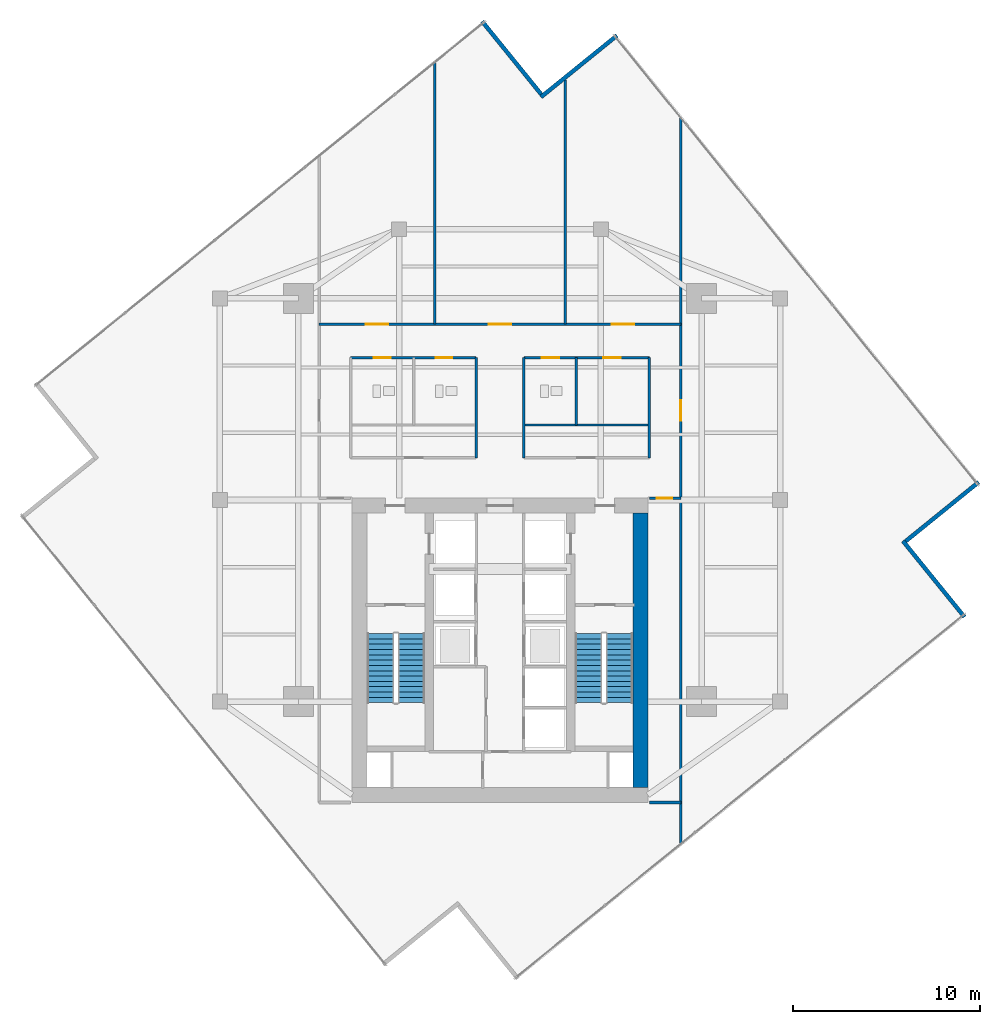
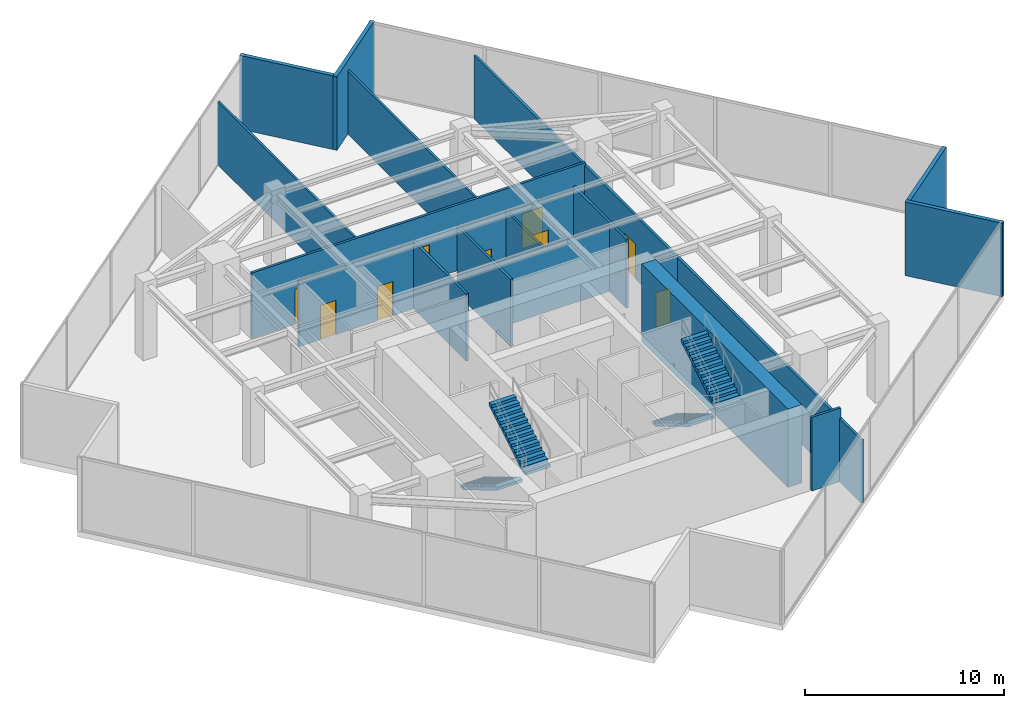
# One storey, part 19 of 22: 18 walls, 9 doors, 4 stair flights, 9 openings, 2 elements without a shape of their own.
"""IFC4 building model written with IfcOpenShell, lengths in metres."""

from ifc_helpers import new_model, si_unit, direction, frame, frame_2d, origin, place, context, subcontext, project, spatial, polyline, rectangle, outline, extrude, material, layer, layer_set, type_object, element, fill, aggregate, save


model = new_model("IFC4")

# Units and contexts
model_context = context("Model", 3, precision=1e-05, world=origin(), true_north=direction((0.0, 1.0)))
body_context = subcontext(model_context, "Body", "Model", "MODEL_VIEW")
ifc_project = project(units=[si_unit("LENGTHUNIT", "METRE"), si_unit("AREAUNIT", "SQUARE_METRE"), si_unit("VOLUMEUNIT", "CUBIC_METRE"), si_unit("PLANEANGLEUNIT", "RADIAN"), si_unit("MASSUNIT", "GRAM", prefix="KILO")], contexts=[model_context])

# Site, building, storey
site_placement = place(None, origin())
site = spatial("IfcSite", under=ifc_project, at=site_placement, CompositionType="ELEMENT")
building_placement = place(site_placement, origin())
building = spatial("IfcBuilding", under=site, at=building_placement, Name="Krantzveldt Concourse Tower", CompositionType="ELEMENT")
storey_placement = place(building_placement, frame((0.0, 0.0, 262.60009765625)))
storey = spatial("IfcBuildingStorey", under=building, at=storey_placement, Name="L64", CompositionType="ELEMENT", Elevation=262.60009765625)

# Walls
ifc_material_1 = material(Name="Anodised aluminium 6063-T6", Category="aluminium")
ifc_layer_1 = layer(ifc_material_1, 0.219970703125, Name="Anodised aluminium 6063-T6", Category="aluminium")
ifc_layer_set_1 = layer_set([ifc_layer_1], Name="Anodised aluminium 6063-T6 (WL-EXT-NOTCH220)")
wall_type_1 = type_object("IfcWallType", Name="WL-EXT-NOTCH220", PredefinedType="ELEMENTEDWALL", material=ifc_layer_set_1)
wall_1_placement = place(storey_placement, frame((38.205810546875, 48.430908203125, 0.0), z_axis=(0.0, 0.0, 1.0), x_axis=(-0.629311429887, 0.777153217978, 0.0)))
element("IfcWall", 1, at=wall_1_placement, inside=storey, type_object=wall_type_1, Name="EW-L64-NCH00", PredefinedType="ELEMENTEDWALL", context=body_context, shape_type="SweptSolid", body=[
    extrude(rectangle(XDim=5.025146484375, YDim=0.219970703125, at=frame_2d((2.5126953125, 0.0))), origin(), (0.0, 0.0, 1.0), 4.52001953125),
])
wall_2_placement = place(storey_placement, frame((60.877197265625, 20.434326171875, 0.0), z_axis=(0.0, 0.0, 1.0), x_axis=(-0.629344166981, 0.777126707485, 0.0)))
element("IfcWall", 2, at=wall_2_placement, inside=storey, type_object=wall_type_1, Name="EW-L64-NCH08", PredefinedType="ELEMENTEDWALL", context=body_context, shape_type="SweptSolid", body=[
    extrude(rectangle(XDim=5.2451171875, YDim=0.219970703125, at=frame_2d((2.62255859375, 0.0))), origin(), (0.0, 0.0, 1.0), 4.52001953125),
])
wall_3_placement = place(storey_placement, frame((57.73095703125, 24.494140625, 0.0), z_axis=(0.0, 0.0, 1.0), x_axis=(0.777153217978, 0.629311429887, 0.0)))
element("IfcWall", 3, at=wall_3_placement, inside=storey, type_object=wall_type_1, Name="EW-L64-NCH09", PredefinedType="ELEMENTEDWALL", context=body_context, shape_type="SweptSolid", body=[
    extrude(rectangle(XDim=5.025146484375, YDim=0.219970703125, at=frame_2d((2.5126953125, 0.0))), origin(), (0.0, 0.0, 1.0), 4.52001953125),
])
wall_4_placement = place(storey_placement, frame((42.265625, 51.5771484375, 0.0), z_axis=(0.0, 0.0, 1.0), x_axis=(-0.777149472214, -0.629316055602, 0.0)))
element("IfcWall", 4, at=wall_4_placement, inside=storey, type_object=wall_type_1, Name="EW-L64-NCH11", PredefinedType="ELEMENTEDWALL", context=body_context, shape_type="SweptSolid", body=[
    extrude(rectangle(XDim=5.2451171875, YDim=0.219970703125, at=frame_2d((2.62255859375, 0.0))), origin(), (0.0, 0.0, 1.0), 4.52001953125),
])
ifc_material_2 = material(Name="Fire-rated gypsum plasterboard on steel stud", Category="steel")
ifc_layer_2 = layer(ifc_material_2, 0.1201171875, Name="Fire-rated gypsum plasterboard on steel stud", Category="steel")
ifc_layer_set_2 = layer_set([ifc_layer_2], Name="Fire-rated gypsum plasterboard on steel stud (WL-PART-120)")
wall_type_2 = type_object("IfcWallType", Name="WL-PART-120", PredefinedType="PARTITIONING", material=ifc_layer_set_2)
wall_5_placement = place(storey_placement, frame((37.280029296875, 30.719970703125, 0.0), z_axis=(0.0, 0.0, 1.0), x_axis=(1.0, 0.0, 0.0)))
element("IfcWall", 5, at=wall_5_placement, inside=storey, type_object=wall_type_2, Name="WP-L64-SMR", PredefinedType="PARTITIONING", context=body_context, shape_type="SweptSolid", body=[
    extrude(rectangle(XDim=6.719970703125, YDim=0.1201171875, at=frame_2d((3.35986328125, 0.0))), origin(), (0.0, 0.0, 1.0), 4.02978515625),
])
wall_6_placement = place(storey_placement, frame((40.080078125, 30.719970703125, 0.0), z_axis=(0.0, 0.0, 1.0), x_axis=(0.0, 1.0, 0.0)))
element("IfcWall", 6, at=wall_6_placement, inside=storey, type_object=wall_type_2, Name="WP-L64-SD2", PredefinedType="PARTITIONING", context=body_context, shape_type="SweptSolid", body=[
    extrude(rectangle(XDim=3.60009765625, YDim=0.1201171875, at=frame_2d((1.800048828125, 0.0))), origin(), (0.0, 0.0, 1.0), 4.119873046875),
])
wall_7_placement = place(storey_placement, frame((32.5, 36.1201171875, 0.0), z_axis=(0.0, 0.0, 1.0), x_axis=(0.0, 1.0, 0.0)))
element("IfcWall", 7, at=wall_7_placement, inside=storey, type_object=wall_type_2, Name="WP-L64-ND1", PredefinedType="PARTITIONING", context=body_context, shape_type="SweptSolid", body=[
    extrude(rectangle(XDim=14.00830078125, YDim=0.1201171875, at=frame_2d((7.004150390625, 0.0))), origin(), (0.0, 0.0, 1.0), 3.8798828125),
])
wall_8_placement = place(storey_placement, frame((39.5, 36.1201171875, 0.0), z_axis=(0.0, 0.0, 1.0), x_axis=(0.0, 1.0, 0.0)))
element("IfcWall", 8, at=wall_8_placement, inside=storey, type_object=wall_type_2, Name="WP-L64-ND2", PredefinedType="PARTITIONING", context=body_context, shape_type="SweptSolid", body=[
    extrude(rectangle(XDim=13.0693359375, YDim=0.1201171875, at=frame_2d((6.53466796875, 0.0))), origin(), (0.0, 0.0, 1.0), 3.8798828125),
])
ifc_layer_3 = layer(ifc_material_2, 0.139892578125, Name="Fire-rated gypsum plasterboard on steel stud", Category="steel")
ifc_layer_set_3 = layer_set([ifc_layer_3], Name="Fire-rated gypsum plasterboard on steel stud (WL-PART-140)")
wall_type_3 = type_object("IfcWallType", Name="WL-PART-140", PredefinedType="PARTITIONING", material=ifc_layer_set_3)
for number, where, z_axis, x_axis, name in (
    (9, (34.719970703125, 28.9599609375, 0.0), (0.0, 0.0, 1.0), (0.0, 1.0, 0.0), "WP-L64-SNL"),
    (10, (37.280029296875, 28.9599609375, 0.0), (0.0, 0.0, 1.0), (0.0, 1.0, 0.0), "WP-L64-SNR"),
):
    element("IfcWall", number, at=place(storey_placement, frame(where, z_axis=z_axis, x_axis=x_axis)), inside=storey, type_object=wall_type_3, Name=name, PredefinedType="PARTITIONING", context=body_context, shape_type="SweptSolid", body=[
        extrude(rectangle(XDim=5.360107421875, YDim=0.139892578125, at=frame_2d((2.68017578125, 0.0))), origin(), (0.0, 0.0, 1.0), 4.119873046875),
    ])

# Wall, openings, doors
wall_9_placement = place(storey_placement, frame((28.0, 34.320068359375, 0.0), z_axis=(0.0, 0.0, 1.0), x_axis=(1.0, 0.0, 0.0)))
wall_9 = element("IfcWall", 11, at=wall_9_placement, inside=storey, type_object=wall_type_3, Name="WP-L64-SNTL", PredefinedType="PARTITIONING", context=body_context, shape_type="SweptSolid", body=[
    extrude(rectangle(XDim=6.719970703125, YDim=0.139892578125, at=frame_2d((3.35986328125, 0.0))), origin(), (0.0, 0.0, 1.0), 4.02978515625),
])
opening_1_placement = place(wall_9_placement, frame((1.25, 0.0, 0.0)))
opening_1 = element("IfcOpeningElement", 12, at=opening_1_placement, cuts=wall_9, Name="Opening D-IN090", PredefinedType="OPENING", context=body_context, shape_type="SweptSolid", body=[
    extrude(rectangle(XDim=0.89990234375, YDim=2.10009765625, at=frame_2d((0.449951171875, 1.050048828125))), frame((0.0, 0.080078125, 0.0), z_axis=(0.0, -1.0, 0.0), x_axis=(1.0, 0.0, 0.0)), (0.0, 0.0, 1.0), 0.159912109375),
])
opening_2_placement = place(wall_9_placement, frame((4.550048828125, 0.0, 0.0)))
opening_2 = element("IfcOpeningElement", 13, at=opening_2_placement, cuts=wall_9, Name="Opening D-IN090", PredefinedType="OPENING", context=body_context, shape_type="SweptSolid", body=[
    extrude(rectangle(XDim=0.89990234375, YDim=2.10009765625, at=frame_2d((0.449951171875, 1.050048828125))), frame((0.0, 0.080078125, 0.0), z_axis=(0.0, -1.0, 0.0), x_axis=(1.0, 0.0, 0.0)), (0.0, 0.0, 1.0), 0.159912109375),
])
ifc_material_3 = material(Name="Hardwood timber", Category="wood")
door_type_1 = type_object("IfcDoorType", Name="DR-INT-900", OperationType="SINGLE_SWING_LEFT", PredefinedType="DOOR", material=ifc_material_3)
door_1_placement = place(opening_1_placement, origin())
door_1 = element("IfcDoor", 14, at=door_1_placement, inside=storey, type_object=door_type_1, Name="DR-L64-WCM", OperationType="SINGLE_SWING_LEFT", OverallHeight=2.10009765625, OverallWidth=0.89990234375, PredefinedType="DOOR", context=body_context, shape_type="SweptSolid", body=[
    extrude(rectangle(XDim=0.89990234375, YDim=2.10009765625, at=frame_2d((0.449951171875, 1.050048828125))), frame((0.0, 0.02490234375, 0.0), z_axis=(0.0, -1.0, 0.0), x_axis=(1.0, 0.0, 0.0)), (0.0, 0.0, 1.0), 0.050048828125),
])
fill(opening_1, door_1)
door_2_placement = place(opening_2_placement, origin())
door_2 = element("IfcDoor", 15, at=door_2_placement, inside=storey, type_object=door_type_1, Name="DR-L64-WCF", OperationType="SINGLE_SWING_RIGHT", OverallHeight=2.10009765625, OverallWidth=0.89990234375, PredefinedType="DOOR", context=body_context, shape_type="SweptSolid", body=[
    extrude(rectangle(XDim=0.89990234375, YDim=2.10009765625, at=frame_2d((0.449951171875, 1.050048828125))), frame((0.0, 0.02490234375, 0.0), z_axis=(0.0, -1.0, 0.0), x_axis=(1.0, 0.0, 0.0)), (0.0, 0.0, 1.0), 0.050048828125),
])
fill(opening_2, door_2)

wall_10_placement = place(storey_placement, frame((37.280029296875, 34.320068359375, 0.0), z_axis=(0.0, 0.0, 1.0), x_axis=(1.0, 0.0, 0.0)))
wall_10 = element("IfcWall", 16, at=wall_10_placement, inside=storey, type_object=wall_type_3, Name="WP-L64-SNTR", PredefinedType="PARTITIONING", context=body_context, shape_type="SweptSolid", body=[
    extrude(rectangle(XDim=6.719970703125, YDim=0.139892578125, at=frame_2d((3.35986328125, 0.0))), origin(), (0.0, 0.0, 1.0), 4.02978515625),
])
opening_3_placement = place(wall_10_placement, frame((0.945068359375, 0.0, 0.0)))
opening_3 = element("IfcOpeningElement", 17, at=opening_3_placement, cuts=wall_10, Name="Opening D-IN095", PredefinedType="OPENING", context=body_context, shape_type="SweptSolid", body=[
    extrude(rectangle(XDim=0.949951171875, YDim=2.10009765625, at=frame_2d((0.47509765625, 1.050048828125))), frame((0.0, 0.080078125, 0.0), z_axis=(0.0, -1.0, 0.0), x_axis=(1.0, 0.0, 0.0)), (0.0, 0.0, 1.0), 0.159912109375),
])
opening_4_placement = place(wall_10_placement, frame((4.2451171875, 0.0, 0.0)))
opening_4 = element("IfcOpeningElement", 18, at=opening_4_placement, cuts=wall_10, Name="Opening D-IN095", PredefinedType="OPENING", context=body_context, shape_type="SweptSolid", body=[
    extrude(rectangle(XDim=0.949951171875, YDim=2.10009765625, at=frame_2d((0.47509765625, 1.050048828125))), frame((0.0, 0.080078125, 0.0), z_axis=(0.0, -1.0, 0.0), x_axis=(1.0, 0.0, 0.0)), (0.0, 0.0, 1.0), 0.159912109375),
])
door_type_2 = type_object("IfcDoorType", Name="DR-INT-950", OperationType="SINGLE_SWING_LEFT", PredefinedType="DOOR", material=ifc_material_3)
door_3_placement = place(opening_3_placement, origin())
door_3 = element("IfcDoor", 19, at=door_3_placement, inside=storey, type_object=door_type_2, Name="DR-L64-WCA", OperationType="SINGLE_SWING_LEFT", OverallHeight=2.10009765625, OverallWidth=0.949951171875, PredefinedType="DOOR", context=body_context, shape_type="SweptSolid", body=[
    extrude(rectangle(XDim=0.949951171875, YDim=2.10009765625, at=frame_2d((0.47509765625, 1.050048828125))), frame((0.0, 0.02490234375, 0.0), z_axis=(0.0, -1.0, 0.0), x_axis=(1.0, 0.0, 0.0)), (0.0, 0.0, 1.0), 0.050048828125),
])
fill(opening_3, door_3)
door_4_placement = place(opening_4_placement, origin())
door_4 = element("IfcDoor", 20, at=door_4_placement, inside=storey, type_object=door_type_2, Name="DR-L64-PNT", OperationType="SINGLE_SWING_RIGHT", OverallHeight=2.10009765625, OverallWidth=0.949951171875, PredefinedType="DOOR", context=body_context, shape_type="SweptSolid", body=[
    extrude(rectangle(XDim=0.949951171875, YDim=2.10009765625, at=frame_2d((0.47509765625, 1.050048828125))), frame((0.0, 0.02490234375, 0.0), z_axis=(0.0, -1.0, 0.0), x_axis=(1.0, 0.0, 0.0)), (0.0, 0.0, 1.0), 0.050048828125),
])
fill(opening_4, door_4)

# Wall
wall_11_placement = place(storey_placement, frame((44.0, 28.9599609375, 0.0), z_axis=(0.0, 0.0, 1.0), x_axis=(0.0, 1.0, 0.0)))
element("IfcWall", 21, at=wall_11_placement, inside=storey, type_object=wall_type_3, Name="WP-L64-SER", PredefinedType="PARTITIONING", context=body_context, shape_type="SweptSolid", body=[
    extrude(rectangle(XDim=5.360107421875, YDim=0.139892578125, at=frame_2d((2.68017578125, 0.0))), origin(), (0.0, 0.0, 1.0), 4.219970703125),
])

# Wall, openings, doors
wall_12_placement = place(storey_placement, frame((26.320068359375, 36.1201171875, 0.0), z_axis=(0.0, 0.0, 1.0), x_axis=(1.0, 0.0, 0.0)))
wall_12 = element("IfcWall", 22, at=wall_12_placement, inside=storey, type_object=wall_type_3, Name="WP-L64-SGT", PredefinedType="PARTITIONING", context=body_context, shape_type="SweptSolid", body=[
    extrude(rectangle(XDim=19.35986328125, YDim=0.139892578125, at=frame_2d((9.679931640625, 0.0))), origin(), (0.0, 0.0, 1.0), 4.02978515625),
])
opening_5_placement = place(wall_12_placement, frame((2.489990234375, 0.0, 0.0)))
opening_5 = element("IfcOpeningElement", 23, at=opening_5_placement, cuts=wall_12, Name="Opening D-DB120", PredefinedType="OPENING", context=body_context, shape_type="SweptSolid", body=[
    extrude(rectangle(XDim=1.199951171875, YDim=2.14990234375, at=frame_2d((0.60009765625, 1.074951171875))), frame((0.0, 0.080078125, 0.0), z_axis=(0.0, -1.0, 0.0), x_axis=(1.0, 0.0, 0.0)), (0.0, 0.0, 1.0), 0.159912109375),
])
opening_6_placement = place(wall_12_placement, frame((9.080078125, 0.0, 0.0)))
opening_6 = element("IfcOpeningElement", 24, at=opening_6_placement, cuts=wall_12, Name="Opening D-DB120", PredefinedType="OPENING", context=body_context, shape_type="SweptSolid", body=[
    extrude(rectangle(XDim=1.199951171875, YDim=2.14990234375, at=frame_2d((0.60009765625, 1.074951171875))), frame((0.0, 0.080078125, 0.0), z_axis=(0.0, -1.0, 0.0), x_axis=(1.0, 0.0, 0.0)), (0.0, 0.0, 1.0), 0.159912109375),
])
opening_7_placement = place(wall_12_placement, frame((15.669921875, 0.0, 0.0)))
opening_7 = element("IfcOpeningElement", 25, at=opening_7_placement, cuts=wall_12, Name="Opening D-DB120", PredefinedType="OPENING", context=body_context, shape_type="SweptSolid", body=[
    extrude(rectangle(XDim=1.199951171875, YDim=2.14990234375, at=frame_2d((0.60009765625, 1.074951171875))), frame((0.0, 0.080078125, 0.0), z_axis=(0.0, -1.0, 0.0), x_axis=(1.0, 0.0, 0.0)), (0.0, 0.0, 1.0), 0.159912109375),
])
door_type_3 = type_object("IfcDoorType", Name="DR-DBL-1200", OperationType="SINGLE_SWING_LEFT", PredefinedType="DOOR", material=ifc_material_1)
door_5_placement = place(opening_5_placement, origin())
door_5 = element("IfcDoor", 26, at=door_5_placement, inside=storey, type_object=door_type_3, Name="DR-L64-SKYN1", OperationType="SINGLE_SWING_LEFT", OverallHeight=2.14990234375, OverallWidth=1.199951171875, PredefinedType="DOOR", context=body_context, shape_type="SweptSolid", body=[
    extrude(rectangle(XDim=1.199951171875, YDim=2.14990234375, at=frame_2d((0.60009765625, 1.074951171875))), frame((0.0, 0.02490234375, 0.0), z_axis=(0.0, -1.0, 0.0), x_axis=(1.0, 0.0, 0.0)), (0.0, 0.0, 1.0), 0.050048828125),
])
fill(opening_5, door_5)
door_6_placement = place(opening_6_placement, origin())
door_6 = element("IfcDoor", 27, at=door_6_placement, inside=storey, type_object=door_type_3, Name="DR-L64-SKYN2", OperationType="SINGLE_SWING_LEFT", OverallHeight=2.14990234375, OverallWidth=1.199951171875, PredefinedType="DOOR", context=body_context, shape_type="SweptSolid", body=[
    extrude(rectangle(XDim=1.199951171875, YDim=2.14990234375, at=frame_2d((0.60009765625, 1.074951171875))), frame((0.0, 0.02490234375, 0.0), z_axis=(0.0, -1.0, 0.0), x_axis=(1.0, 0.0, 0.0)), (0.0, 0.0, 1.0), 0.050048828125),
])
fill(opening_6, door_6)
door_7_placement = place(opening_7_placement, origin())
door_7 = element("IfcDoor", 28, at=door_7_placement, inside=storey, type_object=door_type_3, Name="DR-L64-SKYN3", OperationType="SINGLE_SWING_LEFT", OverallHeight=2.14990234375, OverallWidth=1.199951171875, PredefinedType="DOOR", context=body_context, shape_type="SweptSolid", body=[
    extrude(rectangle(XDim=1.199951171875, YDim=2.14990234375, at=frame_2d((0.60009765625, 1.074951171875))), frame((0.0, 0.02490234375, 0.0), z_axis=(0.0, -1.0, 0.0), x_axis=(1.0, 0.0, 0.0)), (0.0, 0.0, 1.0), 0.050048828125),
])
fill(opening_7, door_7)

# Wall, opening, door
wall_13_placement = place(storey_placement, frame((45.679931640625, 8.27587890625, 0.0), z_axis=(0.0, 0.0, 1.0), x_axis=(0.0, 1.0, 0.0)))
wall_13 = element("IfcWall", 29, at=wall_13_placement, inside=storey, type_object=wall_type_3, Name="WP-L64-CER", PredefinedType="PARTITIONING", context=body_context, shape_type="SweptSolid", body=[
    extrude(rectangle(XDim=38.902099609375, YDim=0.139892578125, at=frame_2d((19.451171875, 0.0))), origin(), (0.0, 0.0, 1.0), 3.8798828125),
])
opening_8_placement = place(wall_13_placement, frame((22.674072265625, 0.0, 0.0)))
opening_8 = element("IfcOpeningElement", 30, at=opening_8_placement, cuts=wall_13, Name="Opening D-IN110", PredefinedType="OPENING", context=body_context, shape_type="SweptSolid", body=[
    extrude(rectangle(XDim=1.10009765625, YDim=2.14990234375, at=frame_2d((0.550048828125, 1.074951171875))), frame((0.0, 0.080078125, 0.0), z_axis=(0.0, -1.0, 0.0), x_axis=(1.0, 0.0, 0.0)), (0.0, 0.0, 1.0), 0.159912109375),
])
door_type_4 = type_object("IfcDoorType", Name="DR-INT-1100", OperationType="SINGLE_SWING_LEFT", PredefinedType="DOOR", material=ifc_material_3)
door_8_placement = place(opening_8_placement, origin())
door_8 = element("IfcDoor", 31, at=door_8_placement, inside=storey, type_object=door_type_4, Name="DR-L64-SKYE", OperationType="SINGLE_SWING_RIGHT", OverallHeight=2.14990234375, OverallWidth=1.10009765625, PredefinedType="DOOR", context=body_context, shape_type="SweptSolid", body=[
    extrude(rectangle(XDim=1.10009765625, YDim=2.14990234375, at=frame_2d((0.550048828125, 1.074951171875))), frame((0.0, 0.02490234375, 0.0), z_axis=(0.0, -1.0, 0.0), x_axis=(1.0, 0.0, 0.0)), (0.0, 0.0, 1.0), 0.050048828125),
])
fill(opening_8, door_8)

wall_14_placement = place(storey_placement, frame((44.0, 26.800048828125, 0.0), z_axis=(0.0, 0.0, 1.0), x_axis=(1.0, 0.0, 0.0)))
wall_14 = element("IfcWall", 32, at=wall_14_placement, inside=storey, type_object=wall_type_3, Name="WP-L64-CSE", PredefinedType="PARTITIONING", context=body_context, shape_type="SweptSolid", body=[
    extrude(rectangle(XDim=1.679931640625, YDim=0.139892578125, at=frame_2d((0.83984375, 0.0))), origin(), (0.0, 0.0, 1.0), 4.02978515625),
])
opening_9_placement = place(wall_14_placement, frame((0.385009765625, 0.0, 0.0)))
opening_9 = element("IfcOpeningElement", 33, at=opening_9_placement, cuts=wall_14, Name="Opening D-IN085", PredefinedType="OPENING", context=body_context, shape_type="SweptSolid", body=[
    extrude(rectangle(XDim=0.85009765625, YDim=2.10009765625, at=frame_2d((0.425048828125, 1.050048828125))), frame((0.0, 0.080078125, 0.0), z_axis=(0.0, -1.0, 0.0), x_axis=(1.0, 0.0, 0.0)), (0.0, 0.0, 1.0), 0.159912109375),
])
door_type_5 = type_object("IfcDoorType", Name="DR-INT-850", OperationType="SINGLE_SWING_LEFT", PredefinedType="DOOR", material=ifc_material_3)
door_9_placement = place(opening_9_placement, origin())
door_9 = element("IfcDoor", 34, at=door_9_placement, inside=storey, type_object=door_type_5, Name="DR-L64-PKE", OperationType="SINGLE_SWING_LEFT", OverallHeight=2.10009765625, OverallWidth=0.85009765625, PredefinedType="DOOR", context=body_context, shape_type="SweptSolid", body=[
    extrude(rectangle(XDim=0.85009765625, YDim=2.10009765625, at=frame_2d((0.425048828125, 1.050048828125))), frame((0.0, 0.02490234375, 0.0), z_axis=(0.0, -1.0, 0.0), x_axis=(1.0, 0.0, 0.0)), (0.0, 0.0, 1.0), 0.050048828125),
])
fill(opening_9, door_9)

# Walls
wall_15_placement = place(storey_placement, frame((44.0, 10.5, 0.0), z_axis=(0.0, 0.0, 1.0), x_axis=(1.0, 0.0, 0.0)))
element("IfcWall", 35, at=wall_15_placement, inside=storey, type_object=wall_type_3, Name="WP-L64-SET", PredefinedType="PARTITIONING", context=body_context, shape_type="SweptSolid", body=[
    extrude(rectangle(XDim=1.679931640625, YDim=0.139892578125, at=frame_2d((0.83984375, 0.0))), origin(), (0.0, 0.0, 1.0), 4.52001953125),
])
ifc_material_4 = material(Name="Concrete C60/75", Category="concrete")
ifc_layer_4 = layer(ifc_material_4, 0.800048828125, Name="Concrete C60/75", Category="concrete")
ifc_layer_set_4 = layer_set([ifc_layer_4], Name="Concrete C60/75 (WL-SHEAR-800)")
wall_type_4 = type_object("IfcWallType", Name="WL-SHEAR-800", PredefinedType="SHEAR", material=ifc_layer_set_4)
wall_16_placement = place(storey_placement, frame((43.52001953125, 11.300048828125, 0.0), z_axis=(0.0, 0.0, 1.0), x_axis=(0.0, 1.0, 0.0)))
element("IfcWall", 36, at=wall_16_placement, inside=storey, type_object=wall_type_4, Name="CW-L64-E", PredefinedType="SHEAR", context=body_context, shape_type="SweptSolid", body=[
    extrude(rectangle(XDim=14.699951171875, YDim=0.800048828125, at=frame_2d((7.35009765625, 0.0))), origin(), (0.0, 0.0, 1.0), 4.7998046875),
])

# Stair, stair flights
ifc_material_5 = material(Name="Precast concrete C40/50", Category="concrete")
stair_type = type_object("IfcStairType", Name="STR-CORE-DOGLEG", PredefinedType="HALF_TURN_STAIR", material=ifc_material_5)
stair_1_placement = place(storey_placement, origin())
stair_1 = element("IfcStair", 37, at=stair_1_placement, inside=storey, type_object=stair_type, Name="L64 Protected Escape Stair ST-1", PredefinedType="HALF_TURN_STAIR")
stair_flight_type = type_object("IfcStairFlightType", Name="STF-CORE-1450", PredefinedType="STRAIGHT", material=ifc_material_5)
stair_flight_1_placement = place(storey_placement, frame((29.60498046875, 19.550048828125, 0.0), z_axis=(0.0, 0.0, 1.0), x_axis=(0.0, -1.0, 0.0)))
stair_flight_1 = element("IfcStairFlight", 38, at=stair_flight_1_placement, type_object=stair_flight_type, Name="ST-1 flight 1", NumberOfRisers=14, NumberOfTreads=13, PredefinedType="STRAIGHT", RiserHeight=0.171428571, TreadLength=0.285, context=body_context, shape_type="SweptSolid", body=[
    extrude(outline(polyline([(0.0, 0.0), (0.0, 0.17138671875), (0.284912109375, 0.17138671875), (0.284912109375, 0.3427734375), (0.570068359375, 0.3427734375), (0.570068359375, 0.514404296875), (0.85498046875, 0.514404296875), (0.85498046875, 0.685791015625), (1.139892578125, 0.685791015625), (1.139892578125, 0.857177734375), (1.425048828125, 0.857177734375), (1.425048828125, 1.028564453125), (1.7099609375, 1.028564453125), (1.7099609375, 1.199951171875), (1.9951171875, 1.199951171875), (1.9951171875, 1.371337890625), (2.280029296875, 1.371337890625), (2.280029296875, 1.54296875), (2.56494140625, 1.54296875), (2.56494140625, 1.71435546875), (2.85009765625, 1.71435546875), (2.85009765625, 1.8857421875), (3.135009765625, 1.8857421875), (3.135009765625, 2.05712890625), (3.419921875, 2.05712890625), (3.419921875, 2.228515625), (3.705078125, 2.228515625), (3.705078125, 2.39990234375), (3.705078125, 2.0537109375), (0.290771484375, 0.0), (0.0, 0.0)])), frame((0.0, 0.72509765625, 0.0), z_axis=(0.0, -1.0, 0.0), x_axis=(1.0, 0.0, 0.0)), (0.0, 0.0, 1.0), 1.449951171875),
])
stair_flight_2_placement = place(storey_placement, frame((31.2548828125, 15.844970703125, 2.39990234375), z_axis=(0.0, 0.0, 1.0), x_axis=(0.0, 1.0, 0.0)))
stair_flight_2 = element("IfcStairFlight", 39, at=stair_flight_2_placement, type_object=stair_flight_type, Name="ST-1 flight 2", NumberOfRisers=14, NumberOfTreads=13, PredefinedType="STRAIGHT", RiserHeight=0.171428571, TreadLength=0.285, context=body_context, shape_type="SweptSolid", body=[
    extrude(outline(polyline([(0.0, 0.0), (0.0, 0.17138671875), (0.284912109375, 0.17138671875), (0.284912109375, 0.3427734375), (0.570068359375, 0.3427734375), (0.570068359375, 0.514404296875), (0.85498046875, 0.514404296875), (0.85498046875, 0.685791015625), (1.139892578125, 0.685791015625), (1.139892578125, 0.857177734375), (1.425048828125, 0.857177734375), (1.425048828125, 1.028564453125), (1.7099609375, 1.028564453125), (1.7099609375, 1.199951171875), (1.9951171875, 1.199951171875), (1.9951171875, 1.371337890625), (2.280029296875, 1.371337890625), (2.280029296875, 1.54296875), (2.56494140625, 1.54296875), (2.56494140625, 1.71435546875), (2.85009765625, 1.71435546875), (2.85009765625, 1.8857421875), (3.135009765625, 1.8857421875), (3.135009765625, 2.05712890625), (3.419921875, 2.05712890625), (3.419921875, 2.228515625), (3.705078125, 2.228515625), (3.705078125, 2.39990234375), (3.705078125, 2.0537109375), (0.290771484375, 0.0), (0.0, 0.0)])), frame((0.0, 0.72509765625, 0.0), z_axis=(0.0, -1.0, 0.0), x_axis=(1.0, 0.0, 0.0)), (0.0, 0.0, 1.0), 1.449951171875),
])
aggregate(stair_1, [stair_flight_1, stair_flight_2])

stair_2_placement = place(storey_placement, origin())
stair_2 = element("IfcStair", 40, at=stair_2_placement, inside=storey, type_object=stair_type, Name="L64 Protected Escape Stair ST-2", PredefinedType="HALF_TURN_STAIR")
stair_flight_3_placement = place(storey_placement, frame((40.7451171875, 19.550048828125, 0.0), z_axis=(0.0, 0.0, 1.0), x_axis=(0.0, -1.0, 0.0)))
stair_flight_3 = element("IfcStairFlight", 41, at=stair_flight_3_placement, type_object=stair_flight_type, Name="ST-2 flight 1", NumberOfRisers=14, NumberOfTreads=13, PredefinedType="STRAIGHT", RiserHeight=0.171428571, TreadLength=0.285, context=body_context, shape_type="SweptSolid", body=[
    extrude(outline(polyline([(0.0, 0.0), (0.0, 0.17138671875), (0.284912109375, 0.17138671875), (0.284912109375, 0.3427734375), (0.570068359375, 0.3427734375), (0.570068359375, 0.514404296875), (0.85498046875, 0.514404296875), (0.85498046875, 0.685791015625), (1.139892578125, 0.685791015625), (1.139892578125, 0.857177734375), (1.425048828125, 0.857177734375), (1.425048828125, 1.028564453125), (1.7099609375, 1.028564453125), (1.7099609375, 1.199951171875), (1.9951171875, 1.199951171875), (1.9951171875, 1.371337890625), (2.280029296875, 1.371337890625), (2.280029296875, 1.54296875), (2.56494140625, 1.54296875), (2.56494140625, 1.71435546875), (2.85009765625, 1.71435546875), (2.85009765625, 1.8857421875), (3.135009765625, 1.8857421875), (3.135009765625, 2.05712890625), (3.419921875, 2.05712890625), (3.419921875, 2.228515625), (3.705078125, 2.228515625), (3.705078125, 2.39990234375), (3.705078125, 2.0537109375), (0.290771484375, 0.0), (0.0, 0.0)])), frame((0.0, 0.72509765625, 0.0), z_axis=(0.0, -1.0, 0.0), x_axis=(1.0, 0.0, 0.0)), (0.0, 0.0, 1.0), 1.449951171875),
])
stair_flight_4_placement = place(storey_placement, frame((42.39501953125, 15.844970703125, 2.39990234375), z_axis=(0.0, 0.0, 1.0), x_axis=(0.0, 1.0, 0.0)))
stair_flight_4 = element("IfcStairFlight", 42, at=stair_flight_4_placement, type_object=stair_flight_type, Name="ST-2 flight 2", NumberOfRisers=14, NumberOfTreads=13, PredefinedType="STRAIGHT", RiserHeight=0.171428571, TreadLength=0.285, context=body_context, shape_type="SweptSolid", body=[
    extrude(outline(polyline([(0.0, 0.0), (0.0, 0.17138671875), (0.284912109375, 0.17138671875), (0.284912109375, 0.3427734375), (0.570068359375, 0.3427734375), (0.570068359375, 0.514404296875), (0.85498046875, 0.514404296875), (0.85498046875, 0.685791015625), (1.139892578125, 0.685791015625), (1.139892578125, 0.857177734375), (1.425048828125, 0.857177734375), (1.425048828125, 1.028564453125), (1.7099609375, 1.028564453125), (1.7099609375, 1.199951171875), (1.9951171875, 1.199951171875), (1.9951171875, 1.371337890625), (2.280029296875, 1.371337890625), (2.280029296875, 1.54296875), (2.56494140625, 1.54296875), (2.56494140625, 1.71435546875), (2.85009765625, 1.71435546875), (2.85009765625, 1.8857421875), (3.135009765625, 1.8857421875), (3.135009765625, 2.05712890625), (3.419921875, 2.05712890625), (3.419921875, 2.228515625), (3.705078125, 2.228515625), (3.705078125, 2.39990234375), (3.705078125, 2.0537109375), (0.290771484375, 0.0), (0.0, 0.0)])), frame((0.0, 0.72509765625, 0.0), z_axis=(0.0, -1.0, 0.0), x_axis=(1.0, 0.0, 0.0)), (0.0, 0.0, 1.0), 1.449951171875),
])
aggregate(stair_2, [stair_flight_3, stair_flight_4])

save(model, "model.ifc")
